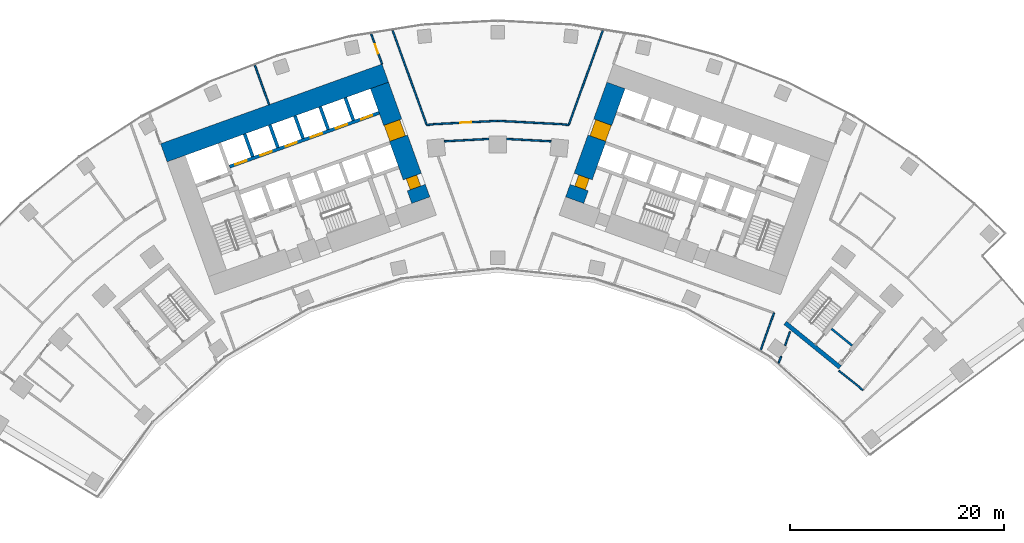
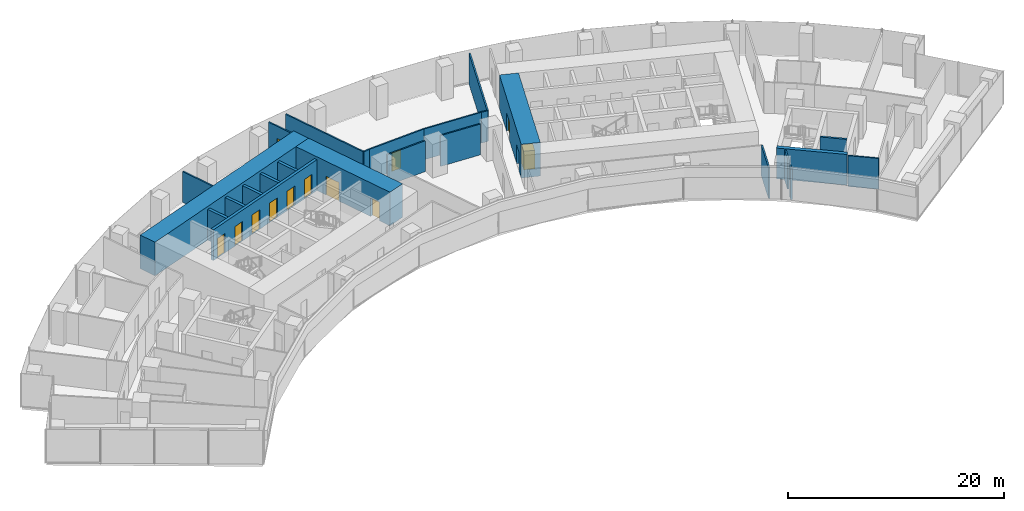
# One storey, part 16 of 21: 25 walls, 12 doors, 12 openings.
"""IFC4 building model written with IfcOpenShell, lengths in metres."""

from ifc_helpers import new_model, si_unit, direction, frame, frame_2d, origin, place, context, subcontext, project, spatial, rectangle, extrude, material, layer, layer_set, type_object, element, fill, save


model = new_model("IFC4")

# Units and contexts
model_context = context("Model", 3, precision=1e-05, world=origin(), true_north=direction((0.0, 1.0)))
body_context = subcontext(model_context, "Body", "Model", "MODEL_VIEW")
ifc_project = project(units=[si_unit("LENGTHUNIT", "METRE"), si_unit("AREAUNIT", "SQUARE_METRE"), si_unit("VOLUMEUNIT", "CUBIC_METRE"), si_unit("PLANEANGLEUNIT", "RADIAN"), si_unit("MASSUNIT", "GRAM", prefix="KILO")], contexts=[model_context])

# Site, building, storey
site_placement = place(None, origin())
site = spatial("IfcSite", under=ifc_project, at=site_placement, CompositionType="ELEMENT")
building_placement = place(site_placement, origin())
building = spatial("IfcBuilding", under=site, at=building_placement, Name="Stone Belt Terrace Tower", CompositionType="ELEMENT")
storey_placement = place(building_placement, frame((0.0, 0.0, 71.800048828125)))
storey = spatial("IfcBuildingStorey", under=building, at=storey_placement, Name="L17", CompositionType="ELEMENT", Elevation=71.800048828125)

# Wall
ifc_material_1 = material(Name="Concrete B80", Category="concrete")
ifc_layer_1 = layer(ifc_material_1, 1.800048828125)
ifc_layer_set_1 = layer_set([ifc_layer_1], Name="Core wall 1800 B80")
wall_type_1 = type_object("IfcWallType", Name="Core wall 1800 B80", PredefinedType="SHEAR", material=ifc_layer_set_1)
wall_1_placement = place(storey_placement, frame((-31.20947265625, 54.23583984375, 0.0), z_axis=(0.0, 0.0, 1.0), x_axis=(0.940922914687, 0.338620833112, 0.0)))
element("IfcWall", 1, at=wall_1_placement, inside=storey, type_object=wall_type_1, Name="Core A wall convex L17", PredefinedType="SHEAR", context=body_context, shape_type="SweptSolid", body=[
    extrude(rectangle(XDim=22.000244140625, YDim=1.800048828125, at=frame_2d((11.0, 0.0))), origin(), (0.0, 0.0, 1.0), 3.800048828125),
])

# Wall, openings, doors
wall_2_placement = place(storey_placement, frame((-7.19091796875, 49.8076171875, 0.0), z_axis=(0.0, 0.0, 1.0), x_axis=(-0.338632255135, 0.940918804033, 0.0)))
wall_2 = element("IfcWall", 2, at=wall_2_placement, inside=storey, type_object=wall_type_1, Name="Core A wall end_b L17", PredefinedType="SHEAR", context=body_context, shape_type="SweptSolid", body=[
    extrude(rectangle(XDim=11.39990234375, YDim=1.800048828125, at=frame_2d((5.699951171875, 0.0))), origin(), (0.0, 0.0, 1.0), 3.800048828125),
])
opening_1_placement = place(wall_2_placement, frame((6.14990234375, 0.0, 0.0)))
opening_1 = element("IfcOpeningElement", 3, at=opening_1_placement, cuts=wall_2, Name="Opening L17-C02", PredefinedType="OPENING", context=body_context, shape_type="SweptSolid", body=[
    extrude(rectangle(XDim=1.60009765625, YDim=2.10009765625, at=frame_2d((0.800048828125, 1.050048828125))), frame((0.0, 0.909912109375, 0.0), z_axis=(0.0, -1.0, 0.0), x_axis=(1.0, 0.0, 0.0)), (0.0, 0.0, 1.0), 1.820068359375),
])
opening_2_placement = place(wall_2_placement, frame((1.25, 0.0, 0.0)))
opening_2 = element("IfcOpeningElement", 4, at=opening_2_placement, cuts=wall_2, Name="Opening L17-C08", PredefinedType="OPENING", context=body_context, shape_type="SweptSolid", body=[
    extrude(rectangle(XDim=1.10009765625, YDim=2.10009765625, at=frame_2d((0.550048828125, 1.050048828125))), frame((0.0, 0.909912109375, 0.0), z_axis=(0.0, -1.0, 0.0), x_axis=(1.0, 0.0, 0.0)), (0.0, 0.0, 1.0), 1.820068359375),
])
ifc_material_2 = material(Name="Timber door leaf", Category="wood")
door_type_1 = type_object("IfcDoorType", Name="Core room door 1100", OperationType="SINGLE_SWING_LEFT", PredefinedType="DOOR", material=ifc_material_2)
door_1_placement = place(opening_2_placement, origin())
door_1 = element("IfcDoor", 5, at=door_1_placement, inside=storey, type_object=door_type_1, Name="Door to Cleaner's store core A", OperationType="SINGLE_SWING_RIGHT", OverallHeight=2.10009765625, OverallWidth=1.10009765625, PredefinedType="DOOR", context=body_context, shape_type="SweptSolid", body=[
    extrude(rectangle(XDim=1.10009765625, YDim=2.10009765625, at=frame_2d((0.550048828125, 1.050048828125))), frame((0.0, 0.60498046875, 0.0), z_axis=(0.0, -1.0, 0.0), x_axis=(1.0, 0.0, 0.0)), (0.0, 0.0, 1.0), 1.050048828125),
])
fill(opening_2, door_1)
ifc_material_3 = material(Name="Glazed aluminium door leaf", Category="aluminium")
door_type_2 = type_object("IfcDoorType", Name="Lift lobby entrance door 1600", OperationType="DOUBLE_DOOR_SINGLE_SWING", PredefinedType="DOOR", material=ifc_material_3)
door_2_placement = place(opening_1_placement, origin())
door_2 = element("IfcDoor", 6, at=door_2_placement, inside=storey, type_object=door_type_2, Name="Lift lobby entrance door core A", OperationType="DOUBLE_DOOR_SINGLE_SWING", OverallHeight=2.10009765625, OverallWidth=1.60009765625, PredefinedType="DOOR", context=body_context, shape_type="SweptSolid", body=[
    extrude(rectangle(XDim=1.60009765625, YDim=2.10009765625, at=frame_2d((0.800048828125, 1.050048828125))), frame((0.0, 0.85498046875, 0.0), z_axis=(0.0, -1.0, 0.0), x_axis=(1.0, 0.0, 0.0)), (0.0, 0.0, 1.0), 1.550048828125),
])
fill(opening_1, door_2)

wall_3_placement = place(storey_placement, frame((7.19091796875, 49.8076171875, 0.0), z_axis=(0.0, 0.0, 1.0), x_axis=(0.338632255135, 0.940918804033, 0.0)))
wall_3 = element("IfcWall", 7, at=wall_3_placement, inside=storey, type_object=wall_type_1, Name="Core B wall end_a L17", PredefinedType="SHEAR", context=body_context, shape_type="SweptSolid", body=[
    extrude(rectangle(XDim=11.39990234375, YDim=1.800048828125, at=frame_2d((5.699951171875, 0.0))), origin(), (0.0, 0.0, 1.0), 3.800048828125),
])
opening_3_placement = place(wall_3_placement, frame((6.14990234375, 0.0, 0.0)))
opening_3 = element("IfcOpeningElement", 8, at=opening_3_placement, cuts=wall_3, Name="Opening L17-C11", PredefinedType="OPENING", context=body_context, shape_type="SweptSolid", body=[
    extrude(rectangle(XDim=1.60009765625, YDim=2.10009765625, at=frame_2d((0.800048828125, 1.050048828125))), frame((0.0, 0.909912109375, 0.0), z_axis=(0.0, -1.0, 0.0), x_axis=(1.0, 0.0, 0.0)), (0.0, 0.0, 1.0), 1.820068359375),
])
opening_4_placement = place(wall_3_placement, frame((1.25, 0.0, 0.0)))
opening_4 = element("IfcOpeningElement", 9, at=opening_4_placement, cuts=wall_3, Name="Opening L17-C17", PredefinedType="OPENING", context=body_context, shape_type="SweptSolid", body=[
    extrude(rectangle(XDim=1.10009765625, YDim=2.10009765625, at=frame_2d((0.550048828125, 1.050048828125))), frame((0.0, 0.909912109375, 0.0), z_axis=(0.0, -1.0, 0.0), x_axis=(1.0, 0.0, 0.0)), (0.0, 0.0, 1.0), 1.820068359375),
])
door_3_placement = place(opening_4_placement, origin())
door_3 = element("IfcDoor", 10, at=door_3_placement, inside=storey, type_object=door_type_1, Name="Door to Cleaner's store core B", OperationType="SINGLE_SWING_LEFT", OverallHeight=2.10009765625, OverallWidth=1.10009765625, PredefinedType="DOOR", context=body_context, shape_type="SweptSolid", body=[
    extrude(rectangle(XDim=1.10009765625, YDim=2.10009765625, at=frame_2d((0.550048828125, 1.050048828125))), frame((0.0, 0.44482421875, 0.0), z_axis=(0.0, -1.0, 0.0), x_axis=(1.0, 0.0, 0.0)), (0.0, 0.0, 1.0), 1.050048828125),
])
fill(opening_4, door_3)
door_4_placement = place(opening_3_placement, origin())
door_4 = element("IfcDoor", 11, at=door_4_placement, inside=storey, type_object=door_type_2, Name="Lift lobby entrance door core B", OperationType="DOUBLE_DOOR_SINGLE_SWING", OverallHeight=2.10009765625, OverallWidth=1.60009765625, PredefinedType="DOOR", context=body_context, shape_type="SweptSolid", body=[
    extrude(rectangle(XDim=1.60009765625, YDim=2.10009765625, at=frame_2d((0.800048828125, 1.050048828125))), frame((0.0, 0.69482421875, 0.0), z_axis=(0.0, -1.0, 0.0), x_axis=(1.0, 0.0, 0.0)), (0.0, 0.0, 1.0), 1.550048828125),
])
fill(opening_3, door_4)

ifc_layer_2 = layer(ifc_material_1, 0.300048828125)
ifc_layer_set_2 = layer_set([ifc_layer_2], Name="Lift shaft wall 300")
wall_type_2 = type_object("IfcWallType", Name="Lift shaft wall 300", PredefinedType="SHEAR", material=ifc_layer_set_2)
wall_4_placement = place(storey_placement, frame((-25.05810546875, 52.9423828125, 0.0), z_axis=(0.0, 0.0, 1.0), x_axis=(0.940918215764, 0.338633889685, 0.0)))
wall_4 = element("IfcWall", 12, at=wall_4_placement, inside=storey, type_object=wall_type_2, Name="Core A wall", PredefinedType="SHEAR", context=body_context, shape_type="SweptSolid", body=[
    extrude(rectangle(XDim=14.850341796875, YDim=0.300048828125, at=frame_2d((7.42529296875, 0.0))), origin(), (0.0, 0.0, 1.0), 3.47998046875),
])
opening_5_placement = place(wall_4_placement, frame((0.570068359375, 0.0, 0.0)))
opening_5 = element("IfcOpeningElement", 13, at=opening_5_placement, cuts=wall_4, Name="Opening L17-LD01", PredefinedType="OPENING", context=body_context, shape_type="SweptSolid", body=[
    extrude(rectangle(XDim=1.10009765625, YDim=2.199951171875, at=frame_2d((0.550048828125, 1.10009765625))), frame((0.0, 0.159912109375, 0.0), z_axis=(0.0, -1.0, 0.0), x_axis=(1.0, 0.0, 0.0)), (0.0, 0.0, 1.0), 0.320068359375),
])
opening_6_placement = place(wall_4_placement, frame((3.070068359375, 0.0, 0.0)))
opening_6 = element("IfcOpeningElement", 14, at=opening_6_placement, cuts=wall_4, Name="Opening L17-LD02", PredefinedType="OPENING", context=body_context, shape_type="SweptSolid", body=[
    extrude(rectangle(XDim=1.10009765625, YDim=2.199951171875, at=frame_2d((0.550048828125, 1.10009765625))), frame((0.0, 0.159912109375, 0.0), z_axis=(0.0, -1.0, 0.0), x_axis=(1.0, 0.0, 0.0)), (0.0, 0.0, 1.0), 0.320068359375),
])
opening_7_placement = place(wall_4_placement, frame((5.570068359375, 0.0, 0.0)))
opening_7 = element("IfcOpeningElement", 15, at=opening_7_placement, cuts=wall_4, Name="Opening L17-LD03", PredefinedType="OPENING", context=body_context, shape_type="SweptSolid", body=[
    extrude(rectangle(XDim=1.10009765625, YDim=2.199951171875, at=frame_2d((0.550048828125, 1.10009765625))), frame((0.0, 0.159912109375, 0.0), z_axis=(0.0, -1.0, 0.0), x_axis=(1.0, 0.0, 0.0)), (0.0, 0.0, 1.0), 0.320068359375),
])
opening_8_placement = place(wall_4_placement, frame((8.070068359375, 0.0, 0.0)))
opening_8 = element("IfcOpeningElement", 16, at=opening_8_placement, cuts=wall_4, Name="Opening L17-LD04", PredefinedType="OPENING", context=body_context, shape_type="SweptSolid", body=[
    extrude(rectangle(XDim=1.10009765625, YDim=2.199951171875, at=frame_2d((0.550048828125, 1.10009765625))), frame((0.0, 0.159912109375, 0.0), z_axis=(0.0, -1.0, 0.0), x_axis=(1.0, 0.0, 0.0)), (0.0, 0.0, 1.0), 0.320068359375),
])
opening_9_placement = place(wall_4_placement, frame((10.570068359375, 0.0, 0.0)))
opening_9 = element("IfcOpeningElement", 17, at=opening_9_placement, cuts=wall_4, Name="Opening L17-LD05", PredefinedType="OPENING", context=body_context, shape_type="SweptSolid", body=[
    extrude(rectangle(XDim=1.10009765625, YDim=2.199951171875, at=frame_2d((0.550048828125, 1.10009765625))), frame((0.0, 0.159912109375, 0.0), z_axis=(0.0, -1.0, 0.0), x_axis=(1.0, 0.0, 0.0)), (0.0, 0.0, 1.0), 0.320068359375),
])
opening_10_placement = place(wall_4_placement, frame((13.070068359375, 0.0, 0.0)))
opening_10 = element("IfcOpeningElement", 18, at=opening_10_placement, cuts=wall_4, Name="Opening L17-LD06", PredefinedType="OPENING", context=body_context, shape_type="SweptSolid", body=[
    extrude(rectangle(XDim=1.10009765625, YDim=2.199951171875, at=frame_2d((0.550048828125, 1.10009765625))), frame((0.0, 0.159912109375, 0.0), z_axis=(0.0, -1.0, 0.0), x_axis=(1.0, 0.0, 0.0)), (0.0, 0.0, 1.0), 0.320068359375),
])
ifc_material_4 = material(Name="Stainless steel door leaf", Category="steel")
door_type_3 = type_object("IfcDoorType", Name="Landing door 1100", OperationType="SLIDING_TO_LEFT", PredefinedType="DOOR", material=ifc_material_4)
door_5_placement = place(opening_5_placement, origin())
door_5 = element("IfcDoor", 19, at=door_5_placement, inside=storey, type_object=door_type_3, Name="Landing door LR1 core A", OperationType="SLIDING_TO_LEFT", OverallHeight=2.199951171875, OverallWidth=1.10009765625, PredefinedType="DOOR", context=body_context, shape_type="SweptSolid", body=[
    extrude(rectangle(XDim=1.10009765625, YDim=2.199951171875, at=frame_2d((0.550048828125, 1.10009765625))), frame((0.0, 0.02490234375, 0.0), z_axis=(0.0, -1.0, 0.0), x_axis=(1.0, 0.0, 0.0)), (0.0, 0.0, 1.0), 0.050048828125),
])
fill(opening_5, door_5)
door_6_placement = place(opening_6_placement, origin())
door_6 = element("IfcDoor", 20, at=door_6_placement, inside=storey, type_object=door_type_3, Name="Landing door LR2 core A", OperationType="SLIDING_TO_LEFT", OverallHeight=2.199951171875, OverallWidth=1.10009765625, PredefinedType="DOOR", context=body_context, shape_type="SweptSolid", body=[
    extrude(rectangle(XDim=1.10009765625, YDim=2.199951171875, at=frame_2d((0.550048828125, 1.10009765625))), frame((0.0, 0.02490234375, 0.0), z_axis=(0.0, -1.0, 0.0), x_axis=(1.0, 0.0, 0.0)), (0.0, 0.0, 1.0), 0.050048828125),
])
fill(opening_6, door_6)
door_7_placement = place(opening_7_placement, origin())
door_7 = element("IfcDoor", 21, at=door_7_placement, inside=storey, type_object=door_type_3, Name="Landing door LR3 core A", OperationType="SLIDING_TO_LEFT", OverallHeight=2.199951171875, OverallWidth=1.10009765625, PredefinedType="DOOR", context=body_context, shape_type="SweptSolid", body=[
    extrude(rectangle(XDim=1.10009765625, YDim=2.199951171875, at=frame_2d((0.550048828125, 1.10009765625))), frame((0.0, 0.02490234375, 0.0), z_axis=(0.0, -1.0, 0.0), x_axis=(1.0, 0.0, 0.0)), (0.0, 0.0, 1.0), 0.050048828125),
])
fill(opening_7, door_7)
door_8_placement = place(opening_8_placement, origin())
door_8 = element("IfcDoor", 22, at=door_8_placement, inside=storey, type_object=door_type_3, Name="Landing door LR4 core A", OperationType="SLIDING_TO_LEFT", OverallHeight=2.199951171875, OverallWidth=1.10009765625, PredefinedType="DOOR", context=body_context, shape_type="SweptSolid", body=[
    extrude(rectangle(XDim=1.10009765625, YDim=2.199951171875, at=frame_2d((0.550048828125, 1.10009765625))), frame((0.0, 0.02490234375, 0.0), z_axis=(0.0, -1.0, 0.0), x_axis=(1.0, 0.0, 0.0)), (0.0, 0.0, 1.0), 0.050048828125),
])
fill(opening_8, door_8)
door_9_placement = place(opening_9_placement, origin())
door_9 = element("IfcDoor", 23, at=door_9_placement, inside=storey, type_object=door_type_3, Name="Landing door LR5 core A", OperationType="SLIDING_TO_LEFT", OverallHeight=2.199951171875, OverallWidth=1.10009765625, PredefinedType="DOOR", context=body_context, shape_type="SweptSolid", body=[
    extrude(rectangle(XDim=1.10009765625, YDim=2.199951171875, at=frame_2d((0.550048828125, 1.10009765625))), frame((0.0, 0.02490234375, 0.0), z_axis=(0.0, -1.0, 0.0), x_axis=(1.0, 0.0, 0.0)), (0.0, 0.0, 1.0), 0.050048828125),
])
fill(opening_9, door_9)
door_10_placement = place(opening_10_placement, origin())
door_10 = element("IfcDoor", 24, at=door_10_placement, inside=storey, type_object=door_type_3, Name="Landing door LR6 core A", OperationType="SLIDING_TO_LEFT", OverallHeight=2.199951171875, OverallWidth=1.10009765625, PredefinedType="DOOR", context=body_context, shape_type="SweptSolid", body=[
    extrude(rectangle(XDim=1.10009765625, YDim=2.199951171875, at=frame_2d((0.550048828125, 1.10009765625))), frame((0.0, 0.02490234375, 0.0), z_axis=(0.0, -1.0, 0.0), x_axis=(1.0, 0.0, 0.0)), (0.0, 0.0, 1.0), 0.050048828125),
])
fill(opening_10, door_10)

# Walls
wall_5_placement = place(storey_placement, frame((-22.897705078125, 53.87939453125, 0.0), z_axis=(0.0, 0.0, 1.0), x_axis=(-0.338535034312, 0.940953787677, 0.0)))
element("IfcWall", 25, at=wall_5_placement, inside=storey, type_object=wall_type_2, Name="Core A wall", PredefinedType="SHEAR", context=body_context, shape_type="SweptSolid", body=[
    extrude(rectangle(XDim=2.25, YDim=0.300048828125, at=frame_2d((1.125, 0.0))), origin(), (0.0, 0.0, 1.0), 3.47998046875),
])
wall_6_placement = place(storey_placement, frame((-20.54541015625, 54.72607421875, 0.0), z_axis=(0.0, 0.0, 1.0), x_axis=(-0.338569601369, 0.940941350472, 0.0)))
element("IfcWall", 26, at=wall_6_placement, inside=storey, type_object=wall_type_2, Name="Core A wall", PredefinedType="SHEAR", context=body_context, shape_type="SweptSolid", body=[
    extrude(rectangle(XDim=2.249755859375, YDim=0.300048828125, at=frame_2d((1.125, 0.0))), origin(), (0.0, 0.0, 1.0), 3.47998046875),
])
wall_7_placement = place(storey_placement, frame((-18.193115234375, 55.572509765625, 0.0), z_axis=(0.0, 0.0, 1.0), x_axis=(-0.338535034312, 0.940953787677, 0.0)))
element("IfcWall", 27, at=wall_7_placement, inside=storey, type_object=wall_type_2, Name="Core A wall", PredefinedType="SHEAR", context=body_context, shape_type="SweptSolid", body=[
    extrude(rectangle(XDim=2.25, YDim=0.300048828125, at=frame_2d((1.125, 0.0))), origin(), (0.0, 0.0, 1.0), 3.47998046875),
])
wall_8_placement = place(storey_placement, frame((-15.8408203125, 56.419189453125, 0.0), z_axis=(0.0, 0.0, 1.0), x_axis=(-0.338569601369, 0.940941350472, 0.0)))
element("IfcWall", 28, at=wall_8_placement, inside=storey, type_object=wall_type_2, Name="Core A wall", PredefinedType="SHEAR", context=body_context, shape_type="SweptSolid", body=[
    extrude(rectangle(XDim=2.249755859375, YDim=0.300048828125, at=frame_2d((1.125, 0.0))), origin(), (0.0, 0.0, 1.0), 3.47998046875),
])
wall_9_placement = place(storey_placement, frame((-13.48828125, 57.265625, 0.0), z_axis=(0.0, 0.0, 1.0), x_axis=(-0.338631098537, 0.940919220286, 0.0)))
element("IfcWall", 29, at=wall_9_placement, inside=storey, type_object=wall_type_2, Name="Core A wall", PredefinedType="SHEAR", context=body_context, shape_type="SweptSolid", body=[
    extrude(rectangle(XDim=2.250244140625, YDim=0.300048828125, at=frame_2d((1.125, 0.0))), origin(), (0.0, 0.0, 1.0), 3.47998046875),
])

# Wall, opening, door
ifc_material_5 = material(Name="Gypsum board partition")
ifc_layer_3 = layer(ifc_material_5, 0.14990234375)
ifc_layer_set_3 = layer_set([ifc_layer_3], Name="PARTITION 150 EI 60")
wall_type_3 = type_object("IfcWallType", Name="PARTITION 150 EI 60", PredefinedType="PARTITIONING", material=ifc_layer_set_3)
wall_10_placement = place(storey_placement, frame((-10.81396484375, 62.531982421875, 0.0), z_axis=(0.0, 0.0, 1.0), x_axis=(-0.338526810165, 0.940956746508, 0.0)))
wall_10 = element("IfcWall", 30, at=wall_10_placement, inside=storey, type_object=wall_type_3, Name="L17/wall/i009", PredefinedType="PARTITIONING", context=body_context, shape_type="SweptSolid", body=[
    extrude(rectangle(XDim=3.006591796875, YDim=0.14990234375, at=frame_2d((1.50341796875, 0.0))), origin(), (0.0, 0.0, 1.0), 3.47998046875),
])
opening_11_placement = place(wall_10_placement, frame((1.05322265625, 0.0, 0.0)))
opening_11 = element("IfcOpeningElement", 31, at=opening_11_placement, cuts=wall_10, Name="Opening D-A5-04", PredefinedType="OPENING", context=body_context, shape_type="SweptSolid", body=[
    extrude(rectangle(XDim=0.89990234375, YDim=2.10009765625, at=frame_2d((0.449951171875, 1.050048828125))), frame((0.0, 0.0849609375, 0.0), z_axis=(0.0, -1.0, 0.0), x_axis=(1.0, 0.0, 0.0)), (0.0, 0.0, 1.0), 0.169921875),
])
door_type_4 = type_object("IfcDoorType", Name="OFFICE DOOR 900 X 2100", OperationType="NOTDEFINED", PredefinedType="DOOR", material=ifc_material_2)
door_11_placement = place(opening_11_placement, origin())
door_11 = element("IfcDoor", 32, at=door_11_placement, inside=storey, type_object=door_type_4, Name="L17/door/i04", OperationType="SINGLE_SWING_RIGHT", OverallHeight=2.10009765625, OverallWidth=0.89990234375, PredefinedType="DOOR", context=body_context, shape_type="SweptSolid", body=[
    extrude(rectangle(XDim=0.89990234375, YDim=2.10009765625, at=frame_2d((0.449951171875, 1.050048828125))), frame((0.0, 0.02490234375, 0.0), z_axis=(0.0, -1.0, 0.0), x_axis=(1.0, 0.0, 0.0)), (0.0, 0.0, 1.0), 0.050048828125),
])
fill(opening_11, door_11)

# Walls
wall_11_placement = place(storey_placement, frame((-9.8212890625, 65.68115234375, 0.0), z_axis=(0.0, 0.0, 1.0), x_axis=(0.338561511742, -0.940944261243, 0.0)))
element("IfcWall", 33, at=wall_11_placement, inside=storey, type_object=wall_type_3, Name="L17/wall/i011", PredefinedType="PARTITIONING", context=body_context, shape_type="SweptSolid", body=[
    extrude(rectangle(XDim=9.4140625, YDim=0.14990234375, at=frame_2d((4.70703125, 0.0))), origin(), (0.0, 0.0, 1.0), 3.47998046875),
])
wall_12_placement = place(storey_placement, frame((-22.700927734375, 62.419189453125, 0.0), z_axis=(0.0, 0.0, 1.0), x_axis=(0.338604747602, -0.94092870341, 0.0)))
element("IfcWall", 34, at=wall_12_placement, inside=storey, type_object=wall_type_3, Name="L17/wall/i016", PredefinedType="PARTITIONING", context=body_context, shape_type="SweptSolid", body=[
    extrude(rectangle(XDim=3.918701171875, YDim=0.14990234375, at=frame_2d((1.95947265625, 0.0))), origin(), (0.0, 0.0, 1.0), 3.47998046875),
])
wall_13_placement = place(storey_placement, frame((6.634033203125, 56.822998046875, 0.0), z_axis=(0.0, 0.0, 1.0), x_axis=(0.338561511742, 0.940944261243, 0.0)))
element("IfcWall", 35, at=wall_13_placement, inside=storey, type_object=wall_type_3, Name="L17/wall/i020", PredefinedType="PARTITIONING", context=body_context, shape_type="SweptSolid", body=[
    extrude(rectangle(XDim=9.4140625, YDim=0.14990234375, at=frame_2d((4.70703125, 0.0))), origin(), (0.0, 0.0, 1.0), 3.47998046875),
])
wall_14_placement = place(storey_placement, frame((24.56494140625, 35.771728515625, 0.0), z_axis=(0.0, 0.0, 1.0), x_axis=(0.338392582605, 0.941005026574, 0.0)))
element("IfcWall", 36, at=wall_14_placement, inside=storey, type_object=wall_type_3, Name="L17/wall/i021", PredefinedType="PARTITIONING", context=body_context, shape_type="SweptSolid", body=[
    extrude(rectangle(XDim=3.729248046875, YDim=0.14990234375, at=frame_2d((1.86474609375, 0.0))), origin(), (0.0, 0.0, 1.0), 3.47998046875),
])
wall_15_placement = place(storey_placement, frame((27.320068359375, 37.52099609375, 0.0), z_axis=(0.0, 0.0, 1.0), x_axis=(-0.339003916963, -0.940784961765, 0.0)))
element("IfcWall", 37, at=wall_15_placement, inside=storey, type_object=wall_type_3, Name="L17/wall/i024", PredefinedType="PARTITIONING", context=body_context, shape_type="SweptSolid", body=[
    extrude(rectangle(XDim=1.36767578125, YDim=0.14990234375, at=frame_2d((0.683837890625, 0.0))), origin(), (0.0, 0.0, 1.0), 3.47998046875),
])
wall_16_placement = place(storey_placement, frame((26.490478515625, 35.21923828125, 0.0), z_axis=(0.0, 0.0, 1.0), x_axis=(-0.338920531705, -0.940815004764, 0.0)))
element("IfcWall", 38, at=wall_16_placement, inside=storey, type_object=wall_type_3, Name="L17/wall/i025", PredefinedType="PARTITIONING", context=body_context, shape_type="SweptSolid", body=[
    extrude(rectangle(XDim=0.68798828125, YDim=0.14990234375, at=frame_2d((0.343994140625, 0.0))), origin(), (0.0, 0.0, 1.0), 3.47998046875),
])
wall_17_placement = place(storey_placement, frame((34.133056640625, 32.055908203125, 0.0), z_axis=(0.0, 0.0, 1.0), x_axis=(-0.776369956068, 0.630277471686, 0.0)))
element("IfcWall", 39, at=wall_17_placement, inside=storey, type_object=wall_type_3, Name="L17/wall/i069", PredefinedType="PARTITIONING", context=body_context, shape_type="SweptSolid", body=[
    extrude(rectangle(XDim=2.8876953125, YDim=0.14990234375, at=frame_2d((1.44384765625, 0.0))), origin(), (0.0, 0.0, 1.0), 3.47998046875),
])
for number, where, z_axis, x_axis, name in (
    (40, (4.979248046875, 55.314453125, 0.0), (0.0, 0.0, 1.0), (-0.998634659291, 0.052238082501, 0.0), "L17/wall/i075"),
    (41, (-0.830078125, 55.531494140625, 0.0), (0.0, 0.0, 1.0), (-0.998634659291, -0.052238082501, 0.0), "L17/wall/i076"),
):
    element("IfcWall", number, at=place(storey_placement, frame(where, z_axis=z_axis, x_axis=x_axis)), inside=storey, type_object=wall_type_3, Name=name, PredefinedType="PARTITIONING", context=body_context, shape_type="SweptSolid", body=[
        extrude(rectangle(XDim=4.15478515625, YDim=0.14990234375, at=frame_2d((2.077392578125, 0.0))), origin(), (0.0, 0.0, 1.0), 3.47998046875),
    ])
wall_18_placement = place(storey_placement, frame((-6.635986328125, 56.8291015625, 0.0), z_axis=(0.0, 0.0, 1.0), x_axis=(0.992042541351, 0.125903122083, 0.0)))
element("IfcWall", 42, at=wall_18_placement, inside=storey, type_object=wall_type_3, Name="L17/wall/i077", PredefinedType="PARTITIONING", context=body_context, shape_type="SweptSolid", body=[
    extrude(rectangle(XDim=0.6591796875, YDim=0.14990234375, at=frame_2d((0.32958984375, 0.0))), origin(), (0.0, 0.0, 1.0), 3.47998046875),
])

# Wall, opening, door
wall_19_placement = place(storey_placement, frame((-5.98193359375, 56.912109375, 0.0), z_axis=(0.0, 0.0, 1.0), x_axis=(0.998633994648, 0.052250786921, 0.0)))
wall_19 = element("IfcWall", 43, at=wall_19_placement, inside=storey, type_object=wall_type_3, Name="L17/wall/i078", PredefinedType="PARTITIONING", context=body_context, shape_type="SweptSolid", body=[
    extrude(rectangle(XDim=5.990234375, YDim=0.14990234375, at=frame_2d((2.9951171875, 0.0))), origin(), (0.0, 0.0, 1.0), 3.47998046875),
])
opening_12_placement = place(wall_19_placement, frame((2.4951171875, 0.0, 0.0)))
opening_12 = element("IfcOpeningElement", 44, at=opening_12_placement, cuts=wall_19, Name="Opening D-A5-25", PredefinedType="OPENING", context=body_context, shape_type="SweptSolid", body=[
    extrude(rectangle(XDim=1.0, YDim=2.10009765625, at=frame_2d((0.5, 1.050048828125))), frame((0.0, 0.0849609375, 0.0), z_axis=(0.0, -1.0, 0.0), x_axis=(1.0, 0.0, 0.0)), (0.0, 0.0, 1.0), 0.169921875),
])
ifc_material_6 = material(Name="Timber fire door leaf", Category="wood")
door_type_5 = type_object("IfcDoorType", Name="TENANCY ENTRANCE DOOR 1000 X 2100", OperationType="NOTDEFINED", PredefinedType="DOOR", material=ifc_material_6)
door_12_placement = place(opening_12_placement, origin())
door_12 = element("IfcDoor", 45, at=door_12_placement, inside=storey, type_object=door_type_5, Name="L17/door/i25", OperationType="SINGLE_SWING_RIGHT", OverallHeight=2.10009765625, OverallWidth=1.0, PredefinedType="DOOR", context=body_context, shape_type="SweptSolid", body=[
    extrude(rectangle(XDim=1.0, YDim=2.10009765625, at=frame_2d((0.5, 1.050048828125))), frame((0.0, 0.02490234375, 0.0), z_axis=(0.0, -1.0, 0.0), x_axis=(1.0, 0.0, 0.0)), (0.0, 0.0, 1.0), 0.050048828125),
])
fill(opening_12, door_12)

# Walls
wall_20_placement = place(storey_placement, frame((0.0, 57.22509765625, 0.0), z_axis=(0.0, 0.0, 1.0), x_axis=(0.998633994648, -0.052250786921, 0.0)))
element("IfcWall", 46, at=wall_20_placement, inside=storey, type_object=wall_type_3, Name="L17/wall/i079", PredefinedType="PARTITIONING", context=body_context, shape_type="SweptSolid", body=[
    extrude(rectangle(XDim=5.990234375, YDim=0.14990234375, at=frame_2d((2.9951171875, 0.0))), origin(), (0.0, 0.0, 1.0), 3.47998046875),
])
wall_21_placement = place(storey_placement, frame((5.98193359375, 56.912109375, 0.0), z_axis=(0.0, 0.0, 1.0), x_axis=(0.992042541351, -0.125903122083, 0.0)))
element("IfcWall", 47, at=wall_21_placement, inside=storey, type_object=wall_type_3, Name="L17/wall/i080", PredefinedType="PARTITIONING", context=body_context, shape_type="SweptSolid", body=[
    extrude(rectangle(XDim=0.6591796875, YDim=0.14990234375, at=frame_2d((0.32958984375, 0.0))), origin(), (0.0, 0.0, 1.0), 3.47998046875),
])
ifc_material_7 = material(Name="Concrete masonry block", Category="masonry")
ifc_layer_4 = layer(ifc_material_7, 0.199951171875)
ifc_layer_set_4 = layer_set([ifc_layer_4], Name="Rated lobby wall 200")
wall_type_4 = type_object("IfcWallType", Name="Rated lobby wall 200", PredefinedType="PARTITIONING", material=ifc_layer_set_4)
wall_22_placement = place(storey_placement, frame((31.190673828125, 37.79296875, 0.0), z_axis=(0.0, 0.0, 1.0), x_axis=(0.776370830301, -0.630276394813, 0.0)))
element("IfcWall", 48, at=wall_22_placement, inside=storey, type_object=wall_type_4, Name="Exit stair ST3B wall", PredefinedType="PARTITIONING", context=body_context, shape_type="SweptSolid", body=[
    extrude(rectangle(XDim=2.5, YDim=0.199951171875, at=frame_2d((1.25, 0.0))), origin(), (0.0, 0.0, 1.0), 3.47998046875),
])
ifc_layer_5 = layer(ifc_material_1, 0.39990234375)
ifc_layer_set_5 = layer_set([ifc_layer_5], Name="Stair enclosure wall 400")
wall_type_5 = type_object("IfcWallType", Name="Stair enclosure wall 400", PredefinedType="SHEAR", material=ifc_layer_set_5)
wall_23_placement = place(storey_placement, frame((26.868408203125, 38.3388671875, 0.0), z_axis=(0.0, 0.0, 1.0), x_axis=(0.776428452498, -0.630205409491, 0.0)))
element("IfcWall", 49, at=wall_23_placement, inside=storey, type_object=wall_type_5, Name="Exit stair ST3B wall", PredefinedType="SHEAR", context=body_context, shape_type="SweptSolid", body=[
    extrude(rectangle(XDim=6.60009765625, YDim=0.39990234375, at=frame_2d((3.300048828125, 0.0))), origin(), (0.0, 0.0, 1.0), 3.47998046875),
])

save(model, "model.ifc")
